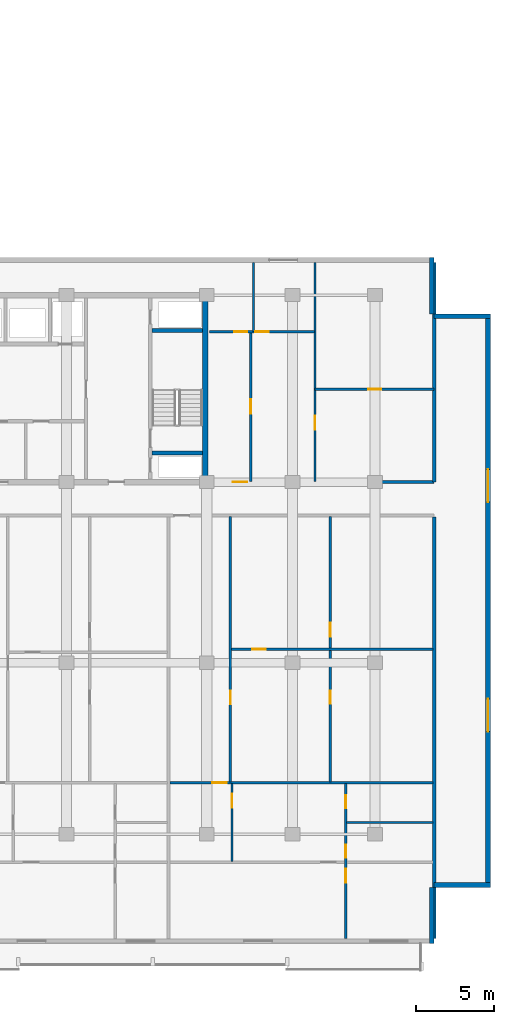
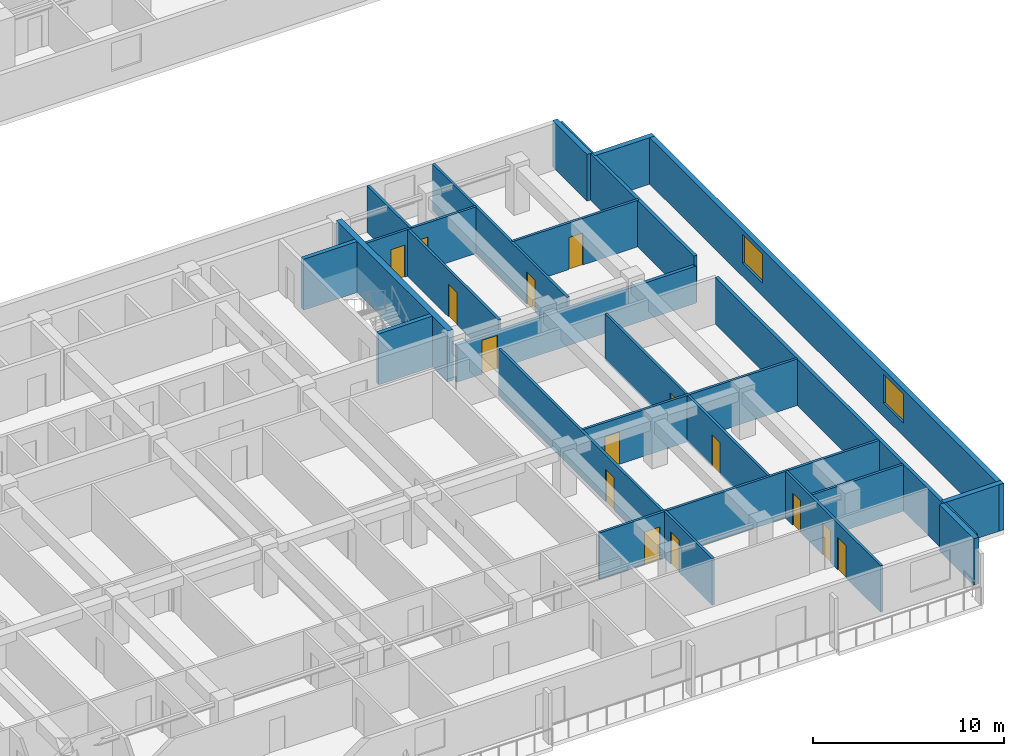
# One storey, part 8 of 23: 23 walls, 15 doors, 2 windows, 17 openings.
"""IFC4 building model written with IfcOpenShell, lengths in metres."""

from ifc_helpers import new_model, si_unit, direction, frame, frame_2d, origin, place, context, subcontext, project, spatial, rectangle, extrude, material, layer, layer_set, type_object, element, fill, save


model = new_model("IFC4")

# Units and contexts
model_context = context("Model", 3, precision=1e-05, world=origin(), true_north=direction((0.0, 1.0)))
body_context = subcontext(model_context, "Body", "Model", "MODEL_VIEW")
ifc_project = project(units=[si_unit("LENGTHUNIT", "METRE"), si_unit("AREAUNIT", "SQUARE_METRE"), si_unit("VOLUMEUNIT", "CUBIC_METRE"), si_unit("PLANEANGLEUNIT", "RADIAN"), si_unit("MASSUNIT", "GRAM", prefix="KILO")], contexts=[model_context])

# Site, building, storey
site_placement = place(None, origin())
site = spatial("IfcSite", under=ifc_project, at=site_placement, CompositionType="ELEMENT")
building_placement = place(site_placement, origin())
building = spatial("IfcBuilding", under=site, at=building_placement, Name="Korimba Cascade Residences", CompositionType="ELEMENT")
storey_placement = place(building_placement, frame((0.0, 0.0, 37.0)))
storey = spatial("IfcBuildingStorey", under=building, at=storey_placement, Name="L09", CompositionType="ELEMENT", Elevation=37.0)

# Walls
ifc_material_1 = material(Name="Precast concrete C40/50", Category="concrete")
ifc_layer_1 = layer(ifc_material_1, 0.300048828125)
ifc_layer_set_1 = layer_set([ifc_layer_1], Name="Precast concrete C40/50")
wall_type_1 = type_object("IfcWallType", Name="EW-STONE-300", PredefinedType="STANDARD", material=ifc_layer_set_1)
wall_1_placement = place(storey_placement, frame((132.550048828125, -11.199951171875, 0.0), z_axis=(0.0, 0.0, 1.0), x_axis=(0.0, 1.0, 0.0)))
element("IfcWall", 1, at=wall_1_placement, inside=storey, type_object=wall_type_1, Name="L09 T2 Perimeter Stone Wall E01", PredefinedType="STANDARD", context=body_context, shape_type="SweptSolid", body=[
    extrude(rectangle(XDim=3.599853515625, YDim=0.300048828125, at=frame_2d((1.7998046875, 0.0))), origin(), (0.0, 0.0, 1.0), 2.969970703125),
])
wall_2_placement = place(storey_placement, frame((132.699951171875, -7.449951171875, 0.0), z_axis=(0.0, 0.0, 1.0), x_axis=(1.0, 0.0, 0.0)))
element("IfcWall", 2, at=wall_2_placement, inside=storey, type_object=wall_type_1, Name="L09 T2 Perimeter Stone Wall E02", PredefinedType="STANDARD", context=body_context, shape_type="SweptSolid", body=[
    extrude(rectangle(XDim=3.60009765625, YDim=0.300048828125, at=frame_2d((1.800048828125, 0.0))), origin(), (0.0, 0.0, 1.0), 2.969970703125),
])

# Wall, openings, windows
wall_3_placement = place(storey_placement, frame((136.14990234375, -7.60009765625, 0.0), z_axis=(0.0, 0.0, 1.0), x_axis=(0.0, 1.0, 0.0)))
wall_3 = element("IfcWall", 3, at=wall_3_placement, inside=storey, type_object=wall_type_1, Name="L09 T2 Perimeter Stone Wall E03", PredefinedType="STANDARD", context=body_context, shape_type="SweptSolid", body=[
    extrude(rectangle(XDim=36.800048828125, YDim=0.300048828125, at=frame_2d((18.39990234375, 0.0))), origin(), (0.0, 0.0, 1.0), 2.969970703125),
])
opening_1_placement = place(wall_3_placement, frame((9.989990234375, 0.0, 0.85009765625)))
opening_1 = element("IfcOpeningElement", 4, at=opening_1_placement, cuts=wall_3, Name="Opening W-03", PredefinedType="OPENING", context=body_context, shape_type="SweptSolid", body=[
    extrude(rectangle(XDim=2.10009765625, YDim=1.85009765625, at=frame_2d((1.050048828125, 0.925048828125))), frame((0.0, 0.16015625, 0.0), z_axis=(0.0, -1.0, 0.0), x_axis=(1.0, 0.0, 0.0)), (0.0, 0.0, 1.0), 0.320068359375),
])
opening_2_placement = place(wall_3_placement, frame((24.7099609375, 0.0, 0.85009765625)))
opening_2 = element("IfcOpeningElement", 5, at=opening_2_placement, cuts=wall_3, Name="Opening W-03", PredefinedType="OPENING", context=body_context, shape_type="SweptSolid", body=[
    extrude(rectangle(XDim=2.10009765625, YDim=1.85009765625, at=frame_2d((1.050048828125, 0.925048828125))), frame((0.0, 0.16015625, 0.0), z_axis=(0.0, -1.0, 0.0), x_axis=(1.0, 0.0, 0.0)), (0.0, 0.0, 1.0), 0.320068359375),
])
ifc_material_2 = material(Name="Double-Glazed Aluminium Window", Category="aluminium")
window_type = type_object("IfcWindowType", Name="WIN-CRN-2100", PartitioningType="DOUBLE_PANEL_HORIZONTAL", PredefinedType="WINDOW", material=ifc_material_2)
window_1_placement = place(opening_1_placement, origin())
window_1 = element("IfcWindow", 6, at=window_1_placement, inside=storey, type_object=window_type, Name="L09 T2 End View Window 3.1", OverallHeight=1.85009765625, OverallWidth=2.10009765625, PartitioningType="DOUBLE_PANEL_HORIZONTAL", PredefinedType="WINDOW", context=body_context, shape_type="SweptSolid", body=[
    extrude(rectangle(XDim=2.10009765625, YDim=1.85009765625, at=frame_2d((1.050048828125, 0.925048828125))), frame((0.0, 0.030029296875, 0.0), z_axis=(0.0, -1.0, 0.0), x_axis=(1.0, 0.0, 0.0)), (0.0, 0.0, 1.0), 0.06005859375),
])
fill(opening_1, window_1)
window_2_placement = place(opening_2_placement, origin())
window_2 = element("IfcWindow", 7, at=window_2_placement, inside=storey, type_object=window_type, Name="L09 T2 End View Window 3.2", OverallHeight=1.85009765625, OverallWidth=2.10009765625, PartitioningType="DOUBLE_PANEL_HORIZONTAL", PredefinedType="WINDOW", context=body_context, shape_type="SweptSolid", body=[
    extrude(rectangle(XDim=2.10009765625, YDim=1.85009765625, at=frame_2d((1.050048828125, 0.925048828125))), frame((0.0, 0.030029296875, 0.0), z_axis=(0.0, -1.0, 0.0), x_axis=(1.0, 0.0, 0.0)), (0.0, 0.0, 1.0), 0.06005859375),
])
fill(opening_2, window_2)

# Walls
for number, where, z_axis, x_axis, name in (
    (8, (136.300048828125, 29.050048828125, 0.0), (0.0, 0.0, 1.0), (-1.0, 0.0, 0.0), "L09 T2 Perimeter Stone Wall E04"),
    (9, (132.550048828125, 29.199951171875, 0.0), (0.0, 0.0, 1.0), (0.0, 1.0, 0.0), "L09 T2 Perimeter Stone Wall E05"),
):
    element("IfcWall", number, at=place(storey_placement, frame(where, z_axis=z_axis, x_axis=x_axis)), inside=storey, type_object=wall_type_1, Name=name, PredefinedType="STANDARD", context=body_context, shape_type="SweptSolid", body=[
        extrude(rectangle(XDim=3.60009765625, YDim=0.300048828125, at=frame_2d((1.800048828125, 0.0))), origin(), (0.0, 0.0, 1.0), 2.969970703125),
    ])
ifc_material_3 = material(Name="Concrete C65/80", Category="concrete")
ifc_layer_2 = layer(ifc_material_3, 0.35009765625)
ifc_layer_set_2 = layer_set([ifc_layer_2], Name="Concrete C65/80")
wall_type_2 = type_object("IfcWallType", Name="WAL-CORE-350", PredefinedType="SHEAR", material=ifc_layer_set_2)
wall_4_placement = place(storey_placement, frame((118.014892578125, 18.574951171875, 0.0), z_axis=(0.0, 0.0, 1.0), x_axis=(0.0, 1.0, 0.0)))
element("IfcWall", 10, at=wall_4_placement, inside=storey, type_object=wall_type_2, Name="L09 Core Shear Wall CW-L09-T2-E", PredefinedType="SHEAR", context=body_context, shape_type="SweptSolid", body=[
    extrude(rectangle(XDim=11.650146484375, YDim=0.35009765625, at=frame_2d((5.8251953125, 0.0))), origin(), (0.0, 0.0, 1.0), 3.25),
])
ifc_layer_3 = layer(ifc_material_1, 0.199951171875)
ifc_layer_set_3 = layer_set([ifc_layer_3], Name="Precast concrete C40/50")
wall_type_3 = type_object("IfcWallType", Name="WAL-IT-200", PredefinedType="PARTITIONING", material=ifc_layer_set_3)
wall_5_placement = place(storey_placement, frame((132.699951171875, 18.39990234375, 0.0), z_axis=(0.0, 0.0, 1.0), x_axis=(0.0, 1.0, 0.0)))
element("IfcWall", 11, at=wall_5_placement, inside=storey, type_object=wall_type_3, Name="L09 Partition Wall WAL-L09-T2-FE-WR", PredefinedType="PARTITIONING", context=body_context, shape_type="SweptSolid", body=[
    extrude(rectangle(XDim=14.10009765625, YDim=0.199951171875, at=frame_2d((7.050048828125, 0.0))), origin(), (0.0, 0.0, 1.0), 2.969970703125),
])

# Wall, opening, door
wall_6_placement = place(storey_placement, frame((118.25, 18.39990234375, 0.0), z_axis=(0.0, 0.0, 1.0), x_axis=(1.0, 0.0, 0.0)))
wall_6 = element("IfcWall", 12, at=wall_6_placement, inside=storey, type_object=wall_type_3, Name="L09 Partition Wall WAL-L09-T2-FE-S", PredefinedType="PARTITIONING", context=body_context, shape_type="SweptSolid", body=[
    extrude(rectangle(XDim=14.449951171875, YDim=0.199951171875, at=frame_2d((7.22509765625, 0.0))), origin(), (0.0, 0.0, 1.0), 2.3701171875),
])
opening_3_placement = place(wall_6_placement, frame((1.510009765625, 0.0, 0.0)))
opening_3 = element("IfcOpeningElement", 13, at=opening_3_placement, cuts=wall_6, Name="Opening D-UN1", PredefinedType="OPENING", context=body_context, shape_type="SweptSolid", body=[
    extrude(rectangle(XDim=0.949951171875, YDim=2.14990234375, at=frame_2d((0.47509765625, 1.074951171875))), frame((0.0, 0.10986328125, 0.0), z_axis=(0.0, -1.0, 0.0), x_axis=(1.0, 0.0, 0.0)), (0.0, 0.0, 1.0), 0.219970703125),
])
ifc_material_4 = material(Name="Fire-Rated Hardwood Apartment Entrance Door", Category="wood")
door_type_1 = type_object("IfcDoorType", Name="DR-FD60-950", OperationType="NOTDEFINED", PredefinedType="DOOR", material=ifc_material_4)
door_1_placement = place(opening_3_placement, origin())
door_1 = element("IfcDoor", 14, at=door_1_placement, inside=storey, type_object=door_type_1, Name="L09-T2-FE Entrance Door", OperationType="SINGLE_SWING_RIGHT", OverallHeight=2.14990234375, OverallWidth=0.949951171875, PredefinedType="DOOR", context=body_context, shape_type="SweptSolid", body=[
    extrude(rectangle(XDim=0.949951171875, YDim=2.14990234375, at=frame_2d((0.47509765625, 1.074951171875))), frame((0.0, 0.02490234375, 0.0), z_axis=(0.0, -1.0, 0.0), x_axis=(1.0, 0.0, 0.0)), (0.0, 0.0, 1.0), 0.050048828125),
])
fill(opening_3, door_1)

# Wall
wall_7_placement = place(storey_placement, frame((132.699951171875, -10.89990234375, 0.0), z_axis=(0.0, 0.0, 1.0), x_axis=(0.0, 1.0, 0.0)))
element("IfcWall", 15, at=wall_7_placement, inside=storey, type_object=wall_type_3, Name="L09 Partition Wall WAL-L09-T2-BNDWR", PredefinedType="PARTITIONING", context=body_context, shape_type="SweptSolid", body=[
    extrude(rectangle(XDim=27.06982421875, YDim=0.199951171875, at=frame_2d((13.534912109375, 0.0))), origin(), (0.0, 0.0, 1.0), 2.969970703125),
])

# Wall, opening, door
ifc_material_5 = material(Name="Insulated Acoustic Stud Partition", Category="gypsum")
ifc_layer_4 = layer(ifc_material_5, 0.14990234375)
ifc_layer_set_4 = layer_set([ifc_layer_4], Name="Insulated Acoustic Stud Partition")
wall_type_4 = type_object("IfcWallType", Name="WAL-PART-150", PredefinedType="PARTITIONING", material=ifc_layer_set_4)
wall_8_placement = place(storey_placement, frame((125.050048828125, 24.35009765625, 0.0), z_axis=(0.0, 0.0, 1.0), x_axis=(1.0, 0.0, 0.0)))
wall_8 = element("IfcWall", 16, at=wall_8_placement, inside=storey, type_object=wall_type_4, Name="L09 Partition Wall WAL-L09-T2-FE-STH", PredefinedType="PARTITIONING", context=body_context, shape_type="SweptSolid", body=[
    extrude(rectangle(XDim=7.64990234375, YDim=0.14990234375, at=frame_2d((3.824951171875, 0.0))), origin(), (0.0, 0.0, 1.0), 2.969970703125),
])
opening_4_placement = place(wall_8_placement, frame((3.405029296875, 0.0, 0.0)))
opening_4 = element("IfcOpeningElement", 17, at=opening_4_placement, cuts=wall_8, Name="Opening D-BT1", PredefinedType="OPENING", context=body_context, shape_type="SweptSolid", body=[
    extrude(rectangle(XDim=0.840087890625, YDim=2.0400390625, at=frame_2d((0.419921875, 1.02001953125))), frame((0.0, 0.0849609375, 0.0), z_axis=(0.0, -1.0, 0.0), x_axis=(1.0, 0.0, 0.0)), (0.0, 0.0, 1.0), 0.169921875),
])
ifc_material_6 = material(Name="Moisture-Resistant Bathroom Timber Door", Category="wood")
door_type_2 = type_object("IfcDoorType", Name="DR-INT-850", OperationType="NOTDEFINED", PredefinedType="DOOR", material=ifc_material_6)
door_2_placement = place(opening_4_placement, origin())
door_2 = element("IfcDoor", 18, at=door_2_placement, inside=storey, type_object=door_type_2, Name="L09-T2-FE Dressing Store Door", OperationType="SINGLE_SWING_LEFT", OverallHeight=2.0400390625, OverallWidth=0.840087890625, PredefinedType="DOOR", context=body_context, shape_type="SweptSolid", body=[
    extrude(rectangle(XDim=0.840087890625, YDim=2.0400390625, at=frame_2d((0.419921875, 1.02001953125))), frame((0.0, 0.02490234375, 0.0), z_axis=(0.0, -1.0, 0.0), x_axis=(1.0, 0.0, 0.0)), (0.0, 0.0, 1.0), 0.050048828125),
])
fill(opening_4, door_2)

wall_9_placement = place(storey_placement, frame((125.050048828125, 18.449951171875, 0.0), z_axis=(0.0, 0.0, 1.0), x_axis=(0.0, 1.0, 0.0)))
wall_9 = element("IfcWall", 19, at=wall_9_placement, inside=storey, type_object=wall_type_4, Name="L09 Partition Wall WAL-L09-T2-FE-STV", PredefinedType="PARTITIONING", context=body_context, shape_type="SweptSolid", body=[
    extrude(rectangle(XDim=14.050048828125, YDim=0.14990234375, at=frame_2d((7.02490234375, 0.0))), origin(), (0.0, 0.0, 1.0), 2.969970703125),
])
opening_5_placement = place(wall_9_placement, frame((3.320068359375, 0.0, 0.0)))
opening_5 = element("IfcOpeningElement", 20, at=opening_5_placement, cuts=wall_9, Name="Opening D-IN2", PredefinedType="OPENING", context=body_context, shape_type="SweptSolid", body=[
    extrude(rectangle(XDim=0.8798828125, YDim=2.06005859375, at=frame_2d((0.43994140625, 1.030029296875))), frame((0.0, 0.0849609375, 0.0), z_axis=(0.0, -1.0, 0.0), x_axis=(1.0, 0.0, 0.0)), (0.0, 0.0, 1.0), 0.169921875),
])
ifc_material_7 = material(Name="Acoustic Timber Bedroom Door", Category="wood")
door_type_3 = type_object("IfcDoorType", Name="DR-INT-880", OperationType="NOTDEFINED", PredefinedType="DOOR", material=ifc_material_7)
door_3_placement = place(opening_5_placement, origin())
door_3 = element("IfcDoor", 21, at=door_3_placement, inside=storey, type_object=door_type_3, Name="L09-T2-FE Study Door", OperationType="SINGLE_SWING_RIGHT", OverallHeight=2.06005859375, OverallWidth=0.8798828125, PredefinedType="DOOR", context=body_context, shape_type="SweptSolid", body=[
    extrude(rectangle(XDim=0.8798828125, YDim=2.06005859375, at=frame_2d((0.43994140625, 1.030029296875))), frame((0.0, 0.02490234375, 0.0), z_axis=(0.0, -1.0, 0.0), x_axis=(1.0, 0.0, 0.0)), (0.0, 0.0, 1.0), 0.050048828125),
])
fill(opening_5, door_3)

wall_10_placement = place(storey_placement, frame((120.929931640625, 18.449951171875, 0.0), z_axis=(0.0, 0.0, 1.0), x_axis=(0.0, 1.0, 0.0)))
wall_10 = element("IfcWall", 22, at=wall_10_placement, inside=storey, type_object=wall_type_4, Name="L09 Partition Wall WAL-L09-T2-FE-VS", PredefinedType="PARTITIONING", context=body_context, shape_type="SweptSolid", body=[
    extrude(rectangle(XDim=9.60009765625, YDim=0.14990234375, at=frame_2d((4.800048828125, 0.0))), origin(), (0.0, 0.0, 1.0), 2.969970703125),
])
opening_6_placement = place(wall_10_placement, frame((4.340087890625, 0.0, 0.0)))
opening_6 = element("IfcOpeningElement", 23, at=opening_6_placement, cuts=wall_10, Name="Opening D-IN1", PredefinedType="OPENING", context=body_context, shape_type="SweptSolid", body=[
    extrude(rectangle(XDim=0.919921875, YDim=2.080078125, at=frame_2d((0.4599609375, 1.0400390625))), frame((0.0, 0.0849609375, 0.0), z_axis=(0.0, -1.0, 0.0), x_axis=(1.0, 0.0, 0.0)), (0.0, 0.0, 1.0), 0.169921875),
])
ifc_material_8 = material(Name="Acoustic Timber Living Door", Category="wood")
door_type_4 = type_object("IfcDoorType", Name="DR-INT-920", OperationType="NOTDEFINED", PredefinedType="DOOR", material=ifc_material_8)
door_4_placement = place(opening_6_placement, origin())
door_4 = element("IfcDoor", 24, at=door_4_placement, inside=storey, type_object=door_type_4, Name="L09-T2-FE Living Door", OperationType="SINGLE_SWING_LEFT", OverallHeight=2.080078125, OverallWidth=0.919921875, PredefinedType="DOOR", context=body_context, shape_type="SweptSolid", body=[
    extrude(rectangle(XDim=0.919921875, YDim=2.080078125, at=frame_2d((0.4599609375, 1.0400390625))), frame((0.0, 0.02490234375, 0.0), z_axis=(0.0, -1.0, 0.0), x_axis=(1.0, 0.0, 0.0)), (0.0, 0.0, 1.0), 0.050048828125),
])
fill(opening_6, door_4)

# Wall
wall_11_placement = place(storey_placement, frame((121.10009765625, 28.050048828125, 0.0), z_axis=(0.0, 0.0, 1.0), x_axis=(0.0, 1.0, 0.0)))
element("IfcWall", 25, at=wall_11_placement, inside=storey, type_object=wall_type_4, Name="L09 Partition Wall WAL-L09-T2-FE-VN", PredefinedType="PARTITIONING", context=body_context, shape_type="SweptSolid", body=[
    extrude(rectangle(XDim=4.449951171875, YDim=0.14990234375, at=frame_2d((2.22509765625, 0.0))), origin(), (0.0, 0.0, 1.0), 2.969970703125),
])

# Wall, openings, doors
wall_12_placement = place(storey_placement, frame((118.27001953125, 28.050048828125, 0.0), z_axis=(0.0, 0.0, 1.0), x_axis=(1.0, 0.0, 0.0)))
wall_12 = element("IfcWall", 26, at=wall_12_placement, inside=storey, type_object=wall_type_4, Name="L09 Partition Wall WAL-L09-T2-FE-H", PredefinedType="PARTITIONING", context=body_context, shape_type="SweptSolid", body=[
    extrude(rectangle(XDim=6.760009765625, YDim=0.14990234375, at=frame_2d((3.3798828125, 0.0))), origin(), (0.0, 0.0, 1.0), 2.969970703125),
])
opening_7_placement = place(wall_12_placement, frame((1.58740234375, 0.0, 0.0)))
opening_7 = element("IfcOpeningElement", 27, at=opening_7_placement, cuts=wall_12, Name="Opening D-BT1", PredefinedType="OPENING", context=body_context, shape_type="SweptSolid", body=[
    extrude(rectangle(XDim=0.840087890625, YDim=2.0400390625, at=frame_2d((0.419921875, 1.02001953125))), frame((0.0, 0.0849609375, 0.0), z_axis=(0.0, -1.0, 0.0), x_axis=(1.0, 0.0, 0.0)), (0.0, 0.0, 1.0), 0.169921875),
])
opening_8_placement = place(wall_12_placement, frame((2.93408203125, 0.0, 0.0)))
opening_8 = element("IfcOpeningElement", 28, at=opening_8_placement, cuts=wall_12, Name="Opening D-IN2", PredefinedType="OPENING", context=body_context, shape_type="SweptSolid", body=[
    extrude(rectangle(XDim=0.8798828125, YDim=2.06005859375, at=frame_2d((0.43994140625, 1.030029296875))), frame((0.0, 0.0849609375, 0.0), z_axis=(0.0, -1.0, 0.0), x_axis=(1.0, 0.0, 0.0)), (0.0, 0.0, 1.0), 0.169921875),
])
door_5_placement = place(opening_7_placement, origin())
door_5 = element("IfcDoor", 29, at=door_5_placement, inside=storey, type_object=door_type_2, Name="L09-T2-FE Bathroom Door", OperationType="SINGLE_SWING_RIGHT", OverallHeight=2.0400390625, OverallWidth=0.840087890625, PredefinedType="DOOR", context=body_context, shape_type="SweptSolid", body=[
    extrude(rectangle(XDim=0.840087890625, YDim=2.0400390625, at=frame_2d((0.419921875, 1.02001953125))), frame((0.0, 0.02490234375, 0.0), z_axis=(0.0, -1.0, 0.0), x_axis=(1.0, 0.0, 0.0)), (0.0, 0.0, 1.0), 0.050048828125),
])
fill(opening_7, door_5)
door_6_placement = place(opening_8_placement, origin())
door_6 = element("IfcDoor", 30, at=door_6_placement, inside=storey, type_object=door_type_3, Name="L09-T2-FE Bedroom Door", OperationType="SINGLE_SWING_LEFT", OverallHeight=2.06005859375, OverallWidth=0.8798828125, PredefinedType="DOOR", context=body_context, shape_type="SweptSolid", body=[
    extrude(rectangle(XDim=0.8798828125, YDim=2.06005859375, at=frame_2d((0.43994140625, 1.030029296875))), frame((0.0, 0.02490234375, 0.0), z_axis=(0.0, -1.0, 0.0), x_axis=(1.0, 0.0, 0.0)), (0.0, 0.0, 1.0), 0.050048828125),
])
fill(opening_8, door_6)

wall_13_placement = place(storey_placement, frame((126.030517578125, -0.860107421875, 0.0), z_axis=(0.0, 0.0, 1.0), x_axis=(0.0, 1.0, 0.0)))
wall_13 = element("IfcWall", 31, at=wall_13_placement, inside=storey, type_object=wall_type_4, Name="L09 Partition Wall WAL-L09-T2-U04-FMV", PredefinedType="PARTITIONING", context=body_context, shape_type="SweptSolid", body=[
    extrude(rectangle(XDim=17.050048828125, YDim=0.14990234375, at=frame_2d((8.52490234375, 0.0))), origin(), (0.0, 0.0, 1.0), 2.969970703125),
])
opening_9_placement = place(wall_13_placement, frame((5.026123046875, 0.0, 0.0)))
opening_9 = element("IfcOpeningElement", 32, at=opening_9_placement, cuts=wall_13, Name="Opening D-BT1", PredefinedType="OPENING", context=body_context, shape_type="SweptSolid", body=[
    extrude(rectangle(XDim=0.840087890625, YDim=2.0400390625, at=frame_2d((0.419921875, 1.02001953125))), frame((0.0, 0.0849609375, 0.0), z_axis=(0.0, -1.0, 0.0), x_axis=(1.0, 0.0, 0.0)), (0.0, 0.0, 1.0), 0.169921875),
])
opening_10_placement = place(wall_13_placement, frame((9.338623046875, 0.0, 0.0)))
opening_10 = element("IfcOpeningElement", 33, at=opening_10_placement, cuts=wall_13, Name="Opening D-IN2", PredefinedType="OPENING", context=body_context, shape_type="SweptSolid", body=[
    extrude(rectangle(XDim=0.8798828125, YDim=2.06005859375, at=frame_2d((0.43994140625, 1.030029296875))), frame((0.0, 0.0849609375, 0.0), z_axis=(0.0, -1.0, 0.0), x_axis=(1.0, 0.0, 0.0)), (0.0, 0.0, 1.0), 0.169921875),
])
door_7_placement = place(opening_9_placement, origin())
door_7 = element("IfcDoor", 34, at=door_7_placement, inside=storey, type_object=door_type_2, Name="L09-T2-U04 Wardrobe Door", OperationType="SINGLE_SWING_LEFT", OverallHeight=2.0400390625, OverallWidth=0.840087890625, PredefinedType="DOOR", context=body_context, shape_type="SweptSolid", body=[
    extrude(rectangle(XDim=0.840087890625, YDim=2.0400390625, at=frame_2d((0.419921875, 1.02001953125))), frame((0.0, 0.02490234375, 0.0), z_axis=(0.0, -1.0, 0.0), x_axis=(1.0, 0.0, 0.0)), (0.0, 0.0, 1.0), 0.050048828125),
])
fill(opening_9, door_7)
door_8_placement = place(opening_10_placement, origin())
door_8 = element("IfcDoor", 35, at=door_8_placement, inside=storey, type_object=door_type_3, Name="L09-T2-U04 Music Lounge Door", OperationType="SINGLE_SWING_RIGHT", OverallHeight=2.06005859375, OverallWidth=0.8798828125, PredefinedType="DOOR", context=body_context, shape_type="SweptSolid", body=[
    extrude(rectangle(XDim=0.8798828125, YDim=2.06005859375, at=frame_2d((0.43994140625, 1.030029296875))), frame((0.0, 0.02490234375, 0.0), z_axis=(0.0, -1.0, 0.0), x_axis=(1.0, 0.0, 0.0)), (0.0, 0.0, 1.0), 0.050048828125),
])
fill(opening_10, door_8)

# Wall, opening, door
wall_14_placement = place(storey_placement, frame((119.680908203125, 7.6650390625, 0.0), z_axis=(0.0, 0.0, 1.0), x_axis=(1.0, 0.0, 0.0)))
wall_14 = element("IfcWall", 36, at=wall_14_placement, inside=storey, type_object=wall_type_4, Name="L09 Partition Wall WAL-L09-T2-U04-FMH", PredefinedType="PARTITIONING", context=body_context, shape_type="SweptSolid", body=[
    extrude(rectangle(XDim=12.939208984375, YDim=0.14990234375, at=frame_2d((6.4697265625, 0.0))), origin(), (0.0, 0.0, 1.0), 2.969970703125),
])
opening_11_placement = place(wall_14_placement, frame((1.329833984375, 0.0, 0.0)))
opening_11 = element("IfcOpeningElement", 37, at=opening_11_placement, cuts=wall_14, Name="Opening D-IN2", PredefinedType="OPENING", context=body_context, shape_type="SweptSolid", body=[
    extrude(rectangle(XDim=0.8798828125, YDim=2.06005859375, at=frame_2d((0.43994140625, 1.030029296875))), frame((0.0, 0.0849609375, 0.0), z_axis=(0.0, -1.0, 0.0), x_axis=(1.0, 0.0, 0.0)), (0.0, 0.0, 1.0), 0.169921875),
])
door_9_placement = place(opening_11_placement, origin())
door_9 = element("IfcDoor", 38, at=door_9_placement, inside=storey, type_object=door_type_3, Name="L09-T2-U04 Library Salon Door", OperationType="SINGLE_SWING_LEFT", OverallHeight=2.06005859375, OverallWidth=0.8798828125, PredefinedType="DOOR", context=body_context, shape_type="SweptSolid", body=[
    extrude(rectangle(XDim=0.8798828125, YDim=2.06005859375, at=frame_2d((0.43994140625, 1.030029296875))), frame((0.0, 0.02490234375, 0.0), z_axis=(0.0, -1.0, 0.0), x_axis=(1.0, 0.0, 0.0)), (0.0, 0.0, 1.0), 0.050048828125),
])
fill(opening_11, door_9)

wall_15_placement = place(storey_placement, frame((119.620849609375, -0.860107421875, 0.0), z_axis=(0.0, 0.0, 1.0), x_axis=(0.0, 1.0, 0.0)))
wall_15 = element("IfcWall", 39, at=wall_15_placement, inside=storey, type_object=wall_type_4, Name="L09 Partition Wall WAL-L09-T2-U04-FV", PredefinedType="PARTITIONING", context=body_context, shape_type="SweptSolid", body=[
    extrude(rectangle(XDim=17.050048828125, YDim=0.14990234375, at=frame_2d((8.52490234375, 0.0))), origin(), (0.0, 0.0, 1.0), 2.969970703125),
])
opening_12_placement = place(wall_15_placement, frame((4.999755859375, 0.0, 0.0)))
opening_12 = element("IfcOpeningElement", 40, at=opening_12_placement, cuts=wall_15, Name="Opening D-IN2", PredefinedType="OPENING", context=body_context, shape_type="SweptSolid", body=[
    extrude(rectangle(XDim=0.8798828125, YDim=2.06005859375, at=frame_2d((0.43994140625, 1.030029296875))), frame((0.0, 0.0849609375, 0.0), z_axis=(0.0, -1.0, 0.0), x_axis=(1.0, 0.0, 0.0)), (0.0, 0.0, 1.0), 0.169921875),
])
door_10_placement = place(opening_12_placement, origin())
door_10 = element("IfcDoor", 41, at=door_10_placement, inside=storey, type_object=door_type_3, Name="L09-T2-U04 Media Lounge Door", OperationType="SINGLE_SWING_RIGHT", OverallHeight=2.06005859375, OverallWidth=0.8798828125, PredefinedType="DOOR", context=body_context, shape_type="SweptSolid", body=[
    extrude(rectangle(XDim=0.8798828125, YDim=2.06005859375, at=frame_2d((0.43994140625, 1.030029296875))), frame((0.0, 0.02490234375, 0.0), z_axis=(0.0, -1.0, 0.0), x_axis=(1.0, 0.0, 0.0)), (0.0, 0.0, 1.0), 0.050048828125),
])
fill(opening_12, door_10)

wall_16_placement = place(storey_placement, frame((119.720947265625, -5.93994140625, 0.0), z_axis=(0.0, 0.0, 1.0), x_axis=(0.0, 1.0, 0.0)))
wall_16 = element("IfcWall", 42, at=wall_16_placement, inside=storey, type_object=wall_type_4, Name="L09 Partition Wall WAL-L09-T2-U04-VDIN", PredefinedType="PARTITIONING", context=body_context, shape_type="SweptSolid", body=[
    extrude(rectangle(XDim=5.0, YDim=0.14990234375, at=frame_2d((2.5, 0.0))), origin(), (0.0, 0.0, 1.0), 2.969970703125),
])
opening_13_placement = place(wall_16_placement, frame((3.454345703125, 0.0, 0.0)))
opening_13 = element("IfcOpeningElement", 43, at=opening_13_placement, cuts=wall_16, Name="Opening D-IN2", PredefinedType="OPENING", context=body_context, shape_type="SweptSolid", body=[
    extrude(rectangle(XDim=0.8798828125, YDim=2.06005859375, at=frame_2d((0.43994140625, 1.030029296875))), frame((0.0, 0.0849609375, 0.0), z_axis=(0.0, -1.0, 0.0), x_axis=(1.0, 0.0, 0.0)), (0.0, 0.0, 1.0), 0.169921875),
])
door_11_placement = place(opening_13_placement, origin())
door_11 = element("IfcDoor", 44, at=door_11_placement, inside=storey, type_object=door_type_3, Name="L09-T2-U04 Dining Room Door", OperationType="SINGLE_SWING_LEFT", OverallHeight=2.06005859375, OverallWidth=0.8798828125, PredefinedType="DOOR", context=body_context, shape_type="SweptSolid", body=[
    extrude(rectangle(XDim=0.8798828125, YDim=2.06005859375, at=frame_2d((0.43994140625, 1.030029296875))), frame((0.0, 0.02490234375, 0.0), z_axis=(0.0, -1.0, 0.0), x_axis=(1.0, 0.0, 0.0)), (0.0, 0.0, 1.0), 0.050048828125),
])
fill(opening_13, door_11)

# Wall
wall_17_placement = place(storey_placement, frame((127.080078125, -3.43994140625, 0.0), z_axis=(0.0, 0.0, 1.0), x_axis=(1.0, 0.0, 0.0)))
element("IfcWall", 45, at=wall_17_placement, inside=storey, type_object=wall_type_4, Name="L09 Partition Wall WAL-L09-T2-U04-BLDIV", PredefinedType="PARTITIONING", context=body_context, shape_type="SweptSolid", body=[
    extrude(rectangle(XDim=5.5400390625, YDim=0.14990234375, at=frame_2d((2.77001953125, 0.0))), origin(), (0.0, 0.0, 1.0), 2.969970703125),
])

# Wall, openings, doors
wall_18_placement = place(storey_placement, frame((127.02001953125, -10.89990234375, 0.0), z_axis=(0.0, 0.0, 1.0), x_axis=(0.0, 1.0, 0.0)))
wall_18 = element("IfcWall", 46, at=wall_18_placement, inside=storey, type_object=wall_type_4, Name="L09 Partition Wall WAL-L09-T2-U04-V1", PredefinedType="PARTITIONING", context=body_context, shape_type="SweptSolid", body=[
    extrude(rectangle(XDim=9.9599609375, YDim=0.14990234375, at=frame_2d((4.97998046875, 0.0))), origin(), (0.0, 0.0, 1.0), 2.969970703125),
])
opening_14_placement = place(wall_18_placement, frame((5.199951171875, 0.0, 0.0)))
opening_14 = element("IfcOpeningElement", 47, at=opening_14_placement, cuts=wall_18, Name="Opening D-BT1", PredefinedType="OPENING", context=body_context, shape_type="SweptSolid", body=[
    extrude(rectangle(XDim=0.840087890625, YDim=2.0400390625, at=frame_2d((0.419921875, 1.02001953125))), frame((0.0, 0.0849609375, 0.0), z_axis=(0.0, -1.0, 0.0), x_axis=(1.0, 0.0, 0.0)), (0.0, 0.0, 1.0), 0.169921875),
])
opening_15_placement = place(wall_18_placement, frame((8.359130859375, 0.0, 0.0)))
opening_15 = element("IfcOpeningElement", 48, at=opening_15_placement, cuts=wall_18, Name="Opening D-BT1", PredefinedType="OPENING", context=body_context, shape_type="SweptSolid", body=[
    extrude(rectangle(XDim=0.840087890625, YDim=2.0400390625, at=frame_2d((0.419921875, 1.02001953125))), frame((0.0, 0.0849609375, 0.0), z_axis=(0.0, -1.0, 0.0), x_axis=(1.0, 0.0, 0.0)), (0.0, 0.0, 1.0), 0.169921875),
])
opening_16_placement = place(wall_18_placement, frame((3.60009765625, 0.0, 0.0)))
opening_16 = element("IfcOpeningElement", 49, at=opening_16_placement, cuts=wall_18, Name="Opening D-IN2", PredefinedType="OPENING", context=body_context, shape_type="SweptSolid", body=[
    extrude(rectangle(XDim=0.8798828125, YDim=2.06005859375, at=frame_2d((0.43994140625, 1.030029296875))), frame((0.0, 0.0849609375, 0.0), z_axis=(0.0, -1.0, 0.0), x_axis=(1.0, 0.0, 0.0)), (0.0, 0.0, 1.0), 0.169921875),
])
door_12_placement = place(opening_14_placement, origin())
door_12 = element("IfcDoor", 50, at=door_12_placement, inside=storey, type_object=door_type_2, Name="L09-T2-U04 Bathroom Door", OperationType="SINGLE_SWING_RIGHT", OverallHeight=2.0400390625, OverallWidth=0.840087890625, PredefinedType="DOOR", context=body_context, shape_type="SweptSolid", body=[
    extrude(rectangle(XDim=0.840087890625, YDim=2.0400390625, at=frame_2d((0.419921875, 1.02001953125))), frame((0.0, 0.02490234375, 0.0), z_axis=(0.0, -1.0, 0.0), x_axis=(1.0, 0.0, 0.0)), (0.0, 0.0, 1.0), 0.050048828125),
])
fill(opening_14, door_12)
door_13_placement = place(opening_15_placement, origin())
door_13 = element("IfcDoor", 51, at=door_13_placement, inside=storey, type_object=door_type_2, Name="L09-T2-U04 Laundry Door", OperationType="SINGLE_SWING_LEFT", OverallHeight=2.0400390625, OverallWidth=0.840087890625, PredefinedType="DOOR", context=body_context, shape_type="SweptSolid", body=[
    extrude(rectangle(XDim=0.840087890625, YDim=2.0400390625, at=frame_2d((0.419921875, 1.02001953125))), frame((0.0, 0.02490234375, 0.0), z_axis=(0.0, -1.0, 0.0), x_axis=(1.0, 0.0, 0.0)), (0.0, 0.0, 1.0), 0.050048828125),
])
fill(opening_15, door_13)
door_14_placement = place(opening_16_placement, origin())
door_14 = element("IfcDoor", 52, at=door_14_placement, inside=storey, type_object=door_type_3, Name="L09-T2-U04 Bedroom 1 Door", OperationType="SINGLE_SWING_RIGHT", OverallHeight=2.06005859375, OverallWidth=0.8798828125, PredefinedType="DOOR", context=body_context, shape_type="SweptSolid", body=[
    extrude(rectangle(XDim=0.8798828125, YDim=2.06005859375, at=frame_2d((0.43994140625, 1.030029296875))), frame((0.0, 0.02490234375, 0.0), z_axis=(0.0, -1.0, 0.0), x_axis=(1.0, 0.0, 0.0)), (0.0, 0.0, 1.0), 0.050048828125),
])
fill(opening_16, door_14)

# Wall, opening, door
wall_19_placement = place(storey_placement, frame((115.73095703125, -0.89990234375, 0.0), z_axis=(0.0, 0.0, 1.0), x_axis=(1.0, 0.0, 0.0)))
wall_19 = element("IfcWall", 53, at=wall_19_placement, inside=storey, type_object=wall_type_4, Name="L09 Partition Wall WAL-L09-T2-U04-MW", PredefinedType="PARTITIONING", context=body_context, shape_type="SweptSolid", body=[
    extrude(rectangle(XDim=16.88916015625, YDim=0.14990234375, at=frame_2d((8.444580078125, 0.0))), origin(), (0.0, 0.0, 1.0), 2.969970703125),
])
opening_17_placement = place(wall_19_placement, frame((2.719970703125, 0.0, 0.0)))
opening_17 = element("IfcOpeningElement", 54, at=opening_17_placement, cuts=wall_19, Name="Opening D-IN1", PredefinedType="OPENING", context=body_context, shape_type="SweptSolid", body=[
    extrude(rectangle(XDim=0.919921875, YDim=2.080078125, at=frame_2d((0.4599609375, 1.0400390625))), frame((0.0, 0.0849609375, 0.0), z_axis=(0.0, -1.0, 0.0), x_axis=(1.0, 0.0, 0.0)), (0.0, 0.0, 1.0), 0.169921875),
])
door_15_placement = place(opening_17_placement, origin())
door_15 = element("IfcDoor", 55, at=door_15_placement, inside=storey, type_object=door_type_4, Name="L09-T2-U04 Kitchen Archway Door", OperationType="SINGLE_SWING_LEFT", OverallHeight=2.080078125, OverallWidth=0.919921875, PredefinedType="DOOR", context=body_context, shape_type="SweptSolid", body=[
    extrude(rectangle(XDim=0.919921875, YDim=2.080078125, at=frame_2d((0.4599609375, 1.0400390625))), frame((0.0, 0.02490234375, 0.0), z_axis=(0.0, -1.0, 0.0), x_axis=(1.0, 0.0, 0.0)), (0.0, 0.0, 1.0), 0.050048828125),
])
fill(opening_17, door_15)

# Walls
ifc_material_9 = material(Name="Concrete C50/60", Category="concrete")
ifc_layer_5 = layer(ifc_material_9, 0.25)
ifc_layer_set_5 = layer_set([ifc_layer_5], Name="Concrete C50/60")
wall_type_5 = type_object("IfcWallType", Name="WAL-SHAFT-250", PredefinedType="SHEAR", material=ifc_layer_set_5)
for number, where, z_axis, x_axis, name in (
    (56, (114.60009765625, 20.27490234375, 0.0), (0.0, 0.0, 1.0), (1.0, 0.0, 0.0), "L09 Core Shear Wall CW-L09-T2-STE2S"),
    (57, (114.60009765625, 28.125, 0.0), (0.0, 0.0, 1.0), (1.0, 0.0, 0.0), "L09 Core Shear Wall CW-L09-T2-STE2N"),
):
    element("IfcWall", number, at=place(storey_placement, frame(where, z_axis=z_axis, x_axis=x_axis)), inside=storey, type_object=wall_type_5, Name=name, PredefinedType="SHEAR", context=body_context, shape_type="SweptSolid", body=[
        extrude(rectangle(XDim=3.239990234375, YDim=0.25, at=frame_2d((1.6201171875, 0.0))), origin(), (0.0, 0.0, 1.0), 3.25),
    ])

save(model, "model.ifc")
